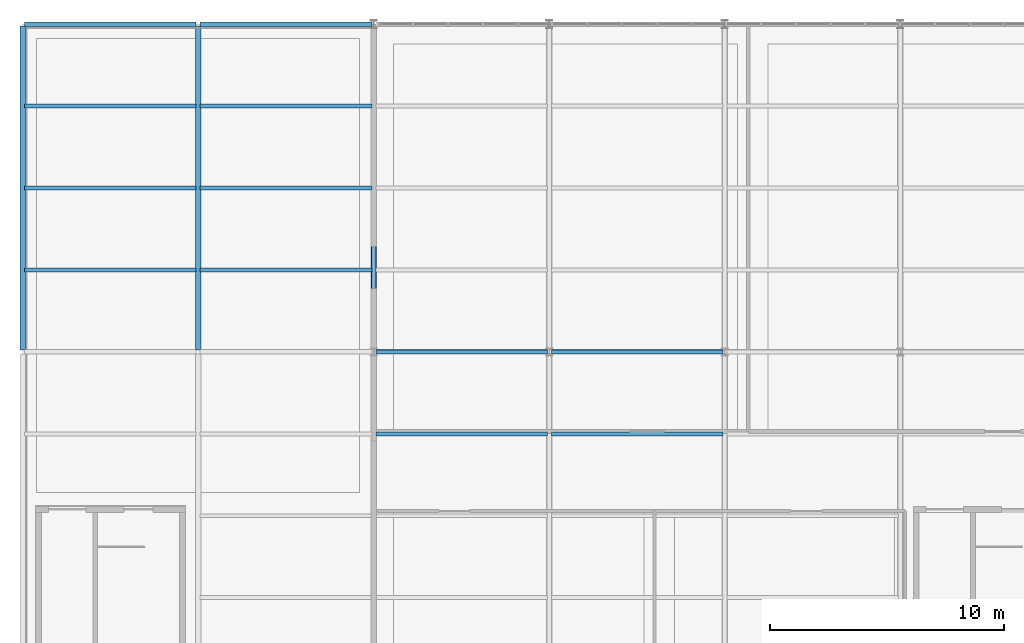
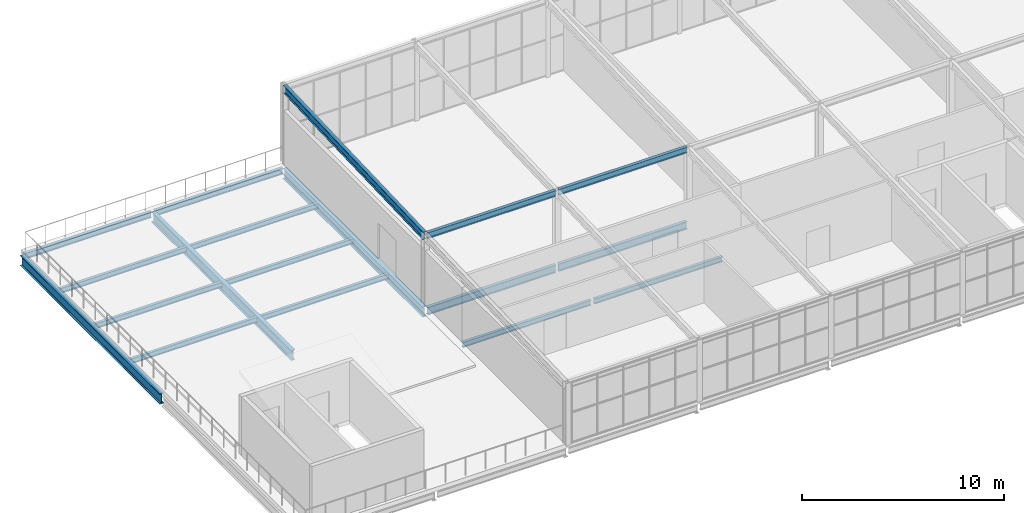
# One storey, part 8 of 27: 18 beams.
"""IFC4 building model written with IfcOpenShell, lengths in metres."""

import ifcopenshell
import ifcopenshell.guid

model = None  # the IFC model being written
_history = None  # IfcOwnerHistory: only IFC2X3 demands one
_inside = {}  # id of a spatial element -> (the spatial element, [elements in it])
_under = {}  # id of a project, library or spatial element -> (it, [spatial elements below it])
_declared = {}  # id of a project -> (the project, [libraries it declares])
_typed = {}  # id of a type object -> (the type object, [elements of that type])
_made_of = {}  # id of a material, layer set ... -> (it, [elements and type objects made of it])


def new_model(schema):
    """Start an empty IFC model of exactly this schema.

    Asked for "IFC4X3", IfcOpenShell would pick the latest addendum, in which some entities
    have other attributes; the version numbers below select the first issue.
    IFC2X3 requires an IfcOwnerHistory on every rooted entity: one is made here for all.
    """
    global model, _history
    if schema == "IFC4X3":
        model = ifcopenshell.file(schema_version=(4, 3, 0, 0))
    else:
        model = ifcopenshell.file(schema=schema)
    _inside.clear()
    _under.clear()
    _declared.clear()
    _typed.clear()
    _made_of.clear()
    _history = None
    if model.schema == "IFC2X3":
        org = make("IfcOrganization", Name="unknown")
        user = make(
            "IfcPersonAndOrganization",
            ThePerson=make("IfcPerson", FamilyName="unknown"),
            TheOrganization=org,
        )
        app = make(
            "IfcApplication",
            ApplicationDeveloper=org,
            Version="unknown",
            ApplicationFullName="unknown",
            ApplicationIdentifier="unknown",
        )
        _history = make(
            "IfcOwnerHistory",
            OwningUser=user,
            OwningApplication=app,
            ChangeAction="ADDED",
            CreationDate=0,
        )
    return model


def make(cls, **values):
    """One entity of the class cls with the attributes given. An attribute that is None is left unset."""
    return model.create_entity(
        cls, **{name: value for name, value in values.items() if value is not None}
    )


def rooted(cls, **values):
    """An entity with a GlobalId (a new one), such as an element, a storey or a relation."""
    return make(cls, GlobalId=ifcopenshell.guid.new(), OwnerHistory=_history, **values)


def si_unit(unit_type, name, prefix=None):
    """IfcSIUnit, for example si_unit("LENGTHUNIT", "METRE", prefix="MILLI")."""
    return make("IfcSIUnit", UnitType=unit_type, Prefix=prefix, Name=name)


def assignment(units):
    """IfcUnitAssignment: the units of a project."""
    return None if units is None else make("IfcUnitAssignment", Units=units)


def point(xyz):
    """IfcCartesianPoint."""
    return None if xyz is None else make("IfcCartesianPoint", Coordinates=xyz)


def direction(xyz):
    """IfcDirection."""
    return None if xyz is None else make("IfcDirection", DirectionRatios=xyz)


def frame(location, z_axis=None, x_axis=None):
    """IfcAxis2Placement3D, a coordinate frame: its origin and axes. An axis left out is left unset."""
    return make(
        "IfcAxis2Placement3D",
        Location=point(location),
        Axis=direction(z_axis),
        RefDirection=direction(x_axis),
    )


def frame_2d(location, x_axis=None):
    """IfcAxis2Placement2D, a coordinate frame in the plane: its origin and x axis."""
    return make(
        "IfcAxis2Placement2D", Location=point(location), RefDirection=direction(x_axis)
    )


def origin():
    """The frame at (0, 0, 0) with its axes left unset."""
    return frame((0.0, 0.0, 0.0))


def origin_2d():
    """The frame at (0, 0) in the plane with its x axis left unset."""
    return frame_2d((0.0, 0.0))


def place(relative_to, where):
    """IfcLocalPlacement: puts the frame where relative to a parent placement (None: the world)."""
    return make(
        "IfcLocalPlacement", PlacementRelTo=relative_to, RelativePlacement=where
    )


def context(
    kind, dimensions, precision=None, world=None, true_north=None, identifier=None
):
    """IfcGeometricRepresentationContext, for example the 3D "Model" context."""
    return make(
        "IfcGeometricRepresentationContext",
        ContextIdentifier=identifier,
        ContextType=kind,
        CoordinateSpaceDimension=dimensions,
        Precision=precision,
        WorldCoordinateSystem=world,
        TrueNorth=true_north,
    )


def subcontext(parent, identifier, kind, view, scale=None):
    """IfcGeometricRepresentationSubContext, for example "Body" below "Model"."""
    return make(
        "IfcGeometricRepresentationSubContext",
        ContextIdentifier=identifier,
        ContextType=kind,
        ParentContext=parent,
        TargetScale=scale,
        TargetView=view,
    )


def project(units=None, contexts=None):
    """IfcProject with its units and contexts."""
    return rooted(
        "IfcProject",
        Name="project",
        RepresentationContexts=contexts,
        UnitsInContext=assignment(units),
    )


def spatial(cls, under=None, at=None, **own):
    """A site, building, storey or space (cls), placed at a placement, below another one or the project."""
    s = rooted(cls, ObjectPlacement=at, **own)
    if under is not None:
        _under.setdefault(under.id(), (under, []))[1].append(s)
    return s


def profile(cls, at=None, kind="AREA", **sizes):
    """A parametric profile (cls). Its sizes go by their IFC names, for example OverallWidth=200.0."""
    return make(cls, ProfileType=kind, Position=at, **sizes)


def i_section(**sizes):
    """IfcIShapeProfileDef."""
    return profile("IfcIShapeProfileDef", **sizes)


def extrude(swept, where, along, depth):
    """IfcExtrudedAreaSolid: the profile swept, set in the frame where, extruded along a direction by depth."""
    return make(
        "IfcExtrudedAreaSolid",
        SweptArea=swept,
        Position=where,
        ExtrudedDirection=direction(along),
        Depth=depth,
    )


def shape(context_of_items, identifier, shape_type, items):
    """IfcShapeRepresentation: the items that make up one representation, for example the "Body"."""
    return make(
        "IfcShapeRepresentation",
        ContextOfItems=context_of_items,
        RepresentationIdentifier=identifier,
        RepresentationType=shape_type,
        Items=items,
    )


def material(Name=None, Category=None):
    """IfcMaterial."""
    return make("IfcMaterial", Name=Name, Category=Category)


def material_profile(
    of_material, cross_section, Name=None, Category=None, Priority=None
):
    """IfcMaterialProfile: a cross section and its material."""
    return make(
        "IfcMaterialProfile",
        Name=Name,
        Material=of_material,
        Profile=cross_section,
        Priority=Priority,
        Category=Category,
    )


def profile_set(profiles, Name=None, composite=None):
    """IfcMaterialProfileSet."""
    return make(
        "IfcMaterialProfileSet",
        Name=Name,
        MaterialProfiles=profiles,
        CompositeProfile=composite,
    )


def made_of(thing, what):
    """Note that an element or type object is made of a material, layer set ...; save() writes the relation."""
    if what is not None:
        _made_of.setdefault(what.id(), (what, []))[1].append(thing)
    return thing


def type_object(cls, material=None, **own):
    """A type object (cls), such as IfcWallType, which elements share."""
    return made_of(rooted(cls, **own), material)


def element(
    cls,
    number,
    at=None,
    inside=None,
    cuts=None,
    type_object=None,
    material=None,
    context=None,
    identifier="Body",
    shape_type=None,
    held_by="IfcProductDefinitionShape",
    body=None,
    shapes=None,
    **own,
):
    """One element of the class cls, such as IfcWall. Its Tag is "e" and its number.

    at: its placement. inside: the storey or other place that contains it. cuts: it is an
    opening in that element (IfcRelVoidsElement). A single representation is given by context,
    identifier, shape_type and body (its items); several are given by shapes. held_by: the class
    of the entity that holds the representations. save() writes the other relations.
    """
    e = rooted(cls, Tag="e%d" % number, ObjectPlacement=at, **own)
    if body is not None:
        shapes = [shape(context, identifier, shape_type, body)]
    if shapes is not None:
        e.Representation = make(held_by, Representations=shapes)
    if inside is not None:
        _inside.setdefault(inside.id(), (inside, []))[1].append(e)
    if cuts is not None:
        rooted(
            "IfcRelVoidsElement", RelatingBuildingElement=cuts, RelatedOpeningElement=e
        )
    if type_object is not None:
        _typed.setdefault(type_object.id(), (type_object, []))[1].append(e)
    return made_of(e, material)


def aggregate(whole, parts):
    """IfcRelAggregates: a whole, such as a stair, and the parts it consists of."""
    return rooted("IfcRelAggregates", RelatingObject=whole, RelatedObjects=parts)


def save(model, path):
    """Write the relations noted so far, then the file.

    IfcRelAggregates (storeys below a building ...), IfcRelContainedInSpatialStructure (elements
    in a storey), IfcRelDefinesByType, IfcRelAssociatesMaterial and IfcRelDeclares: one each for
    every whole, place, type object, material and project.
    """
    for whole, parts in _under.values():
        aggregate(whole, parts)
    for where, things in _inside.values():
        rooted(
            "IfcRelContainedInSpatialStructure",
            RelatedElements=things,
            RelatingStructure=where,
        )
    for kind, things in _typed.values():
        rooted("IfcRelDefinesByType", RelatedObjects=things, RelatingType=kind)
    for what, things in _made_of.values():
        rooted("IfcRelAssociatesMaterial", RelatedObjects=things, RelatingMaterial=what)
    for by, libraries in _declared.values():
        rooted("IfcRelDeclares", RelatingContext=by, RelatedDefinitions=libraries)
    model.write(path)


model = new_model("IFC4")

# Units and contexts
model_context = context("Model", 3, precision=1e-05, world=origin(), true_north=direction((0.0, 1.0)))
body_context = subcontext(model_context, "Body", "Model", "MODEL_VIEW")
ifc_project = project(units=[si_unit("LENGTHUNIT", "METRE"), si_unit("AREAUNIT", "SQUARE_METRE"), si_unit("VOLUMEUNIT", "CUBIC_METRE"), si_unit("PLANEANGLEUNIT", "RADIAN"), si_unit("MASSUNIT", "GRAM", prefix="KILO")], contexts=[model_context])

# Site, building, storey
site_placement = place(None, origin())
site = spatial("IfcSite", under=ifc_project, at=site_placement, CompositionType="ELEMENT")
building_placement = place(site_placement, origin())
building = spatial("IfcBuilding", under=site, at=building_placement, Name="Solvenia Promenade Tram Depot", CompositionType="ELEMENT")
storey_placement = place(building_placement, frame((0.0, 0.0, 13.5)))
storey = spatial("IfcBuildingStorey", under=building, at=storey_placement, Name="L03", CompositionType="ELEMENT", Elevation=13.5)

# Beams
ifc_material = material(Name="Structural steel ASTM A992 Gr. 50", Category="steel")
ifc_material_profile_1 = material_profile(ifc_material, i_section(OverallWidth=0.19091796875, OverallDepth=0.4599609375, WebThickness=0.010009765625, FlangeThickness=0.01611328125, FilletRadius=0.012939453125, at=origin_2d()), Name="W460x82", Category="steel")
ifc_profile_set_1 = profile_set([ifc_material_profile_1], Name="Structural steel ASTM A992 Gr. 50")
beam_type_1 = type_object("IfcBeamType", Name="Beam-W460x82", PredefinedType="BEAM", material=ifc_profile_set_1)
for number, where, z_axis, x_axis, name in (
    (1, (120.0849609375, 52.0, -0.469970703125), (1.0, 0.0, 0.0), (0.0, 1.0, 0.0), "Primary Girder BM-L03-0600"),
    (2, (127.5849609375, 52.0, -0.469970703125), (1.0, 0.0, 0.0), (0.0, 1.0, 0.0), "Primary Girder BM-L03-0601"),
):
    element("IfcBeam", number, at=place(storey_placement, frame(where, z_axis=z_axis, x_axis=x_axis)), inside=storey, type_object=beam_type_1, Name=name, PredefinedType="BEAM", context=body_context, shape_type="SweptSolid", body=[
        extrude(i_section(OverallWidth=0.19091796875, OverallDepth=0.4599609375, WebThickness=0.010009765625, FlangeThickness=0.01611328125, FilletRadius=0.012939453125, at=origin_2d()), origin(), (0.0, 0.0, 1.0), 7.330078125),
    ])
beam_placement = place(storey_placement, frame((120.0, 52.0849609375, 4.030029296875), z_axis=(0.0, 0.999347117137, 0.036129481992), x_axis=(-1.0, 0.0, 0.0)))
element("IfcBeam", 3, at=beam_placement, inside=storey, type_object=beam_type_1, Name="Control Hub Sloped Rafter BM-L03-0880", PredefinedType="BEAM", context=body_context, shape_type="SweptSolid", body=[
    extrude(i_section(OverallWidth=0.19091796875, OverallDepth=0.4599609375, WebThickness=0.010009765625, FlangeThickness=0.01611328125, FilletRadius=0.012939453125, at=origin_2d()), origin(), (0.0, 0.0, 1.0), 13.839111328125),
])
ifc_material_profile_2 = material_profile(ifc_material, i_section(OverallWidth=0.22900390625, OverallDepth=0.612060546875, WebThickness=0.011962890625, FlangeThickness=0.01953125, FilletRadius=0.014892578125, at=origin_2d()), Name="W610x125", Category="steel")
ifc_profile_set_2 = profile_set([ifc_material_profile_2], Name="Structural steel ASTM A992 Gr. 50")
beam_type_2 = type_object("IfcBeamType", Name="Gird-W610x125", PredefinedType="BEAM", material=ifc_profile_set_2)
for number, where, z_axis, x_axis, name in (
    (4, (120.0, 52.0849609375, -0.56591796875), (0.0, 1.0, 0.0), (-1.0, 0.0, 0.0), "Transverse Girder BM-L03-0611"),
    (5, (105.0, 52.0849609375, -0.56591796875), (0.0, 1.0, 0.0), (-1.0, 0.0, 0.0), "Transverse Girder BM-L03-0830"),
    (6, (112.5, 52.0849609375, -0.56591796875), (0.0, 1.0, 0.0), (-1.0, 0.0, 0.0), "Transverse Girder BM-L03-0832"),
):
    element("IfcBeam", number, at=place(storey_placement, frame(where, z_axis=z_axis, x_axis=x_axis)), inside=storey, type_object=beam_type_2, Name=name, PredefinedType="BEAM", context=body_context, shape_type="SweptSolid", body=[
        extrude(i_section(OverallWidth=0.22900390625, OverallDepth=0.612060546875, WebThickness=0.011962890625, FlangeThickness=0.01953125, FilletRadius=0.014892578125, at=origin_2d()), origin(), (0.0, 0.0, 1.0), 13.830078125),
    ])
ifc_material_profile_3 = material_profile(ifc_material, i_section(OverallWidth=0.166015625, OverallDepth=0.31298828125, WebThickness=0.006591796875, FlangeThickness=0.01123046875, FilletRadius=0.010009765625, at=origin_2d()), Name="W310x45", Category="steel")
ifc_profile_set_3 = profile_set([ifc_material_profile_3], Name="Structural steel ASTM A992 Gr. 50")
beam_type_3 = type_object("IfcBeamType", Name="Joist-W310x45", PredefinedType="JOIST", material=ifc_profile_set_3)
for number, where, z_axis, x_axis, name in (
    (7, (120.0849609375, 48.5, -0.396484375), (1.0, 0.0, 0.0), (0.0, 1.0, 0.0), "Secondary Floor Joist BM-L03-0624"),
    (8, (127.5849609375, 48.5, -0.396484375), (1.0, 0.0, 0.0), (0.0, 1.0, 0.0), "Secondary Floor Joist BM-L03-0630"),
    (9, (105.0849609375, 55.5, -0.41650390625), (1.0, 0.0, 0.0), (0.0, 1.0, 0.0), "Secondary Floor Joist BM-L03-0834"),
    (10, (105.0849609375, 59.0, -0.41650390625), (1.0, 0.0, 0.0), (0.0, 1.0, 0.0), "Secondary Floor Joist BM-L03-0835"),
    (11, (105.0849609375, 62.5, -0.41650390625), (1.0, 0.0, 0.0), (0.0, 1.0, 0.0), "Secondary Floor Joist BM-L03-0836"),
    (12, (112.5849609375, 55.5, -0.41650390625), (1.0, 0.0, 0.0), (0.0, 1.0, 0.0), "Secondary Floor Joist BM-L03-0840"),
    (13, (112.5849609375, 59.0, -0.41650390625), (1.0, 0.0, 0.0), (0.0, 1.0, 0.0), "Secondary Floor Joist BM-L03-0841"),
    (14, (112.5849609375, 62.5, -0.41650390625), (1.0, 0.0, 0.0), (0.0, 1.0, 0.0), "Secondary Floor Joist BM-L03-0842"),
):
    element("IfcBeam", number, at=place(storey_placement, frame(where, z_axis=z_axis, x_axis=x_axis)), inside=storey, type_object=beam_type_3, Name=name, PredefinedType="JOIST", context=body_context, shape_type="SweptSolid", body=[
        extrude(i_section(OverallWidth=0.166015625, OverallDepth=0.31298828125, WebThickness=0.006591796875, FlangeThickness=0.01123046875, FilletRadius=0.010009765625, at=origin_2d()), origin(), (0.0, 0.0, 1.0), 7.330078125),
    ])
ifc_material_profile_4 = material_profile(ifc_material, i_section(OverallWidth=0.172119140625, OverallDepth=0.35791015625, WebThickness=0.0078125, FlangeThickness=0.01318359375, FilletRadius=0.010986328125, at=origin_2d()), Name="W360x57", Category="steel")
ifc_profile_set_4 = profile_set([ifc_material_profile_4], Name="Structural steel ASTM A992 Gr. 50")
beam_type_4 = type_object("IfcBeamType", Name="Spandrel-W360x57", PredefinedType="SPANDREL", material=ifc_profile_set_4)
for number, where, z_axis, x_axis, name in (
    (15, (105.0849609375, 66.0, -0.43896484375), (1.0, 0.0, 0.0), (0.0, 1.0, 0.0), "Perimeter Spandrel BM-L03-0827"),
    (16, (112.5849609375, 66.0, -0.43896484375), (1.0, 0.0, 0.0), (0.0, 1.0, 0.0), "Perimeter Spandrel BM-L03-0828"),
    (17, (120.0849609375, 52.0, 4.0810546875), (1.0, 0.0, 0.0), (0.0, 1.0, 0.0), "Control Hub Roof Girder BM-L03-0892"),
    (18, (127.5849609375, 52.0, 4.0810546875), (1.0, 0.0, 0.0), (0.0, 1.0, 0.0), "Control Hub Roof Girder BM-L03-0895"),
):
    element("IfcBeam", number, at=place(storey_placement, frame(where, z_axis=z_axis, x_axis=x_axis)), inside=storey, type_object=beam_type_4, Name=name, PredefinedType="SPANDREL", context=body_context, shape_type="SweptSolid", body=[
        extrude(i_section(OverallWidth=0.172119140625, OverallDepth=0.35791015625, WebThickness=0.0078125, FlangeThickness=0.01318359375, FilletRadius=0.010986328125, at=origin_2d()), origin(), (0.0, 0.0, 1.0), 7.330078125),
    ])

save(model, "model.ifc")
